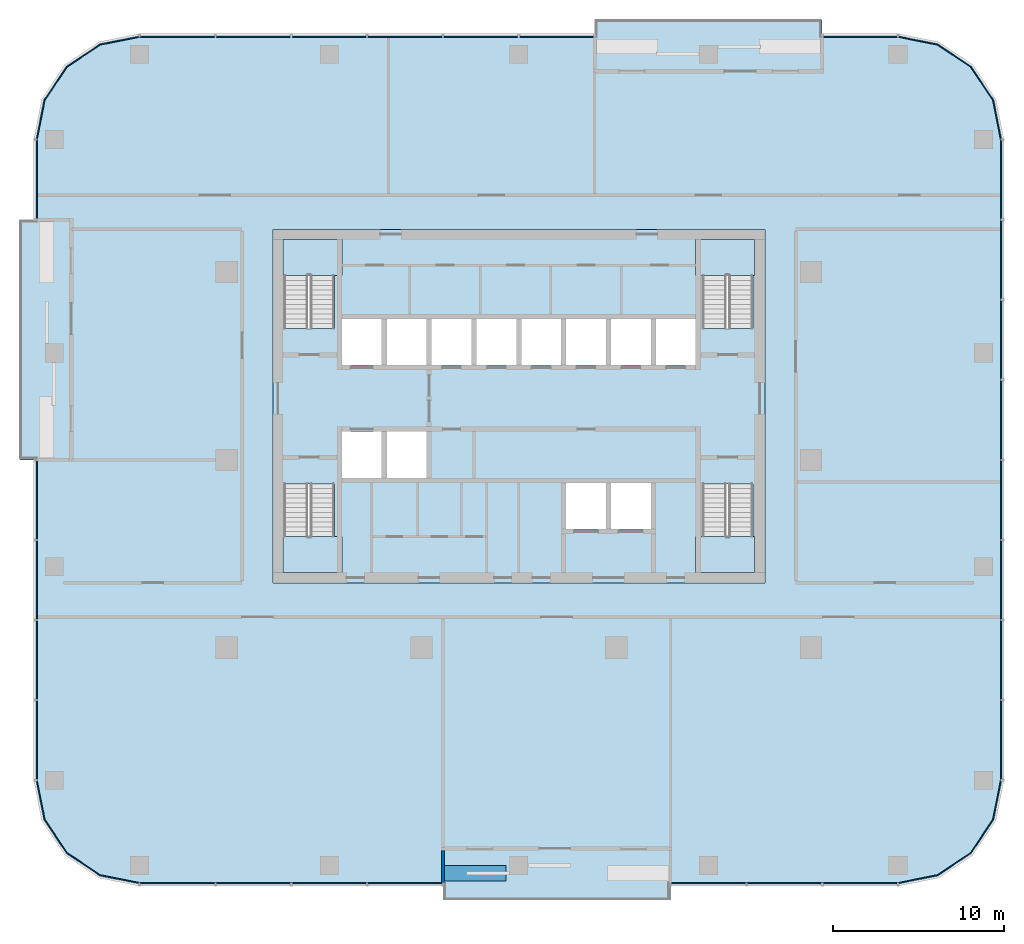
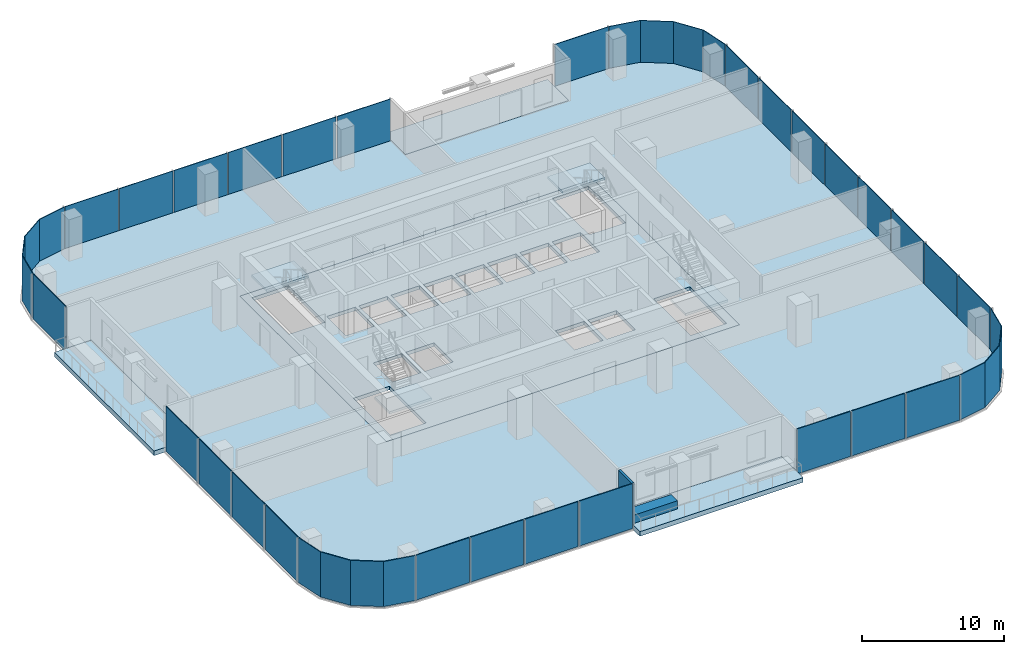
# One storey, part 6 of 14: 31 plates, 9 slabs, 2 walls, 15 elements without a shape of their own.
"""IFC4 building model written with IfcOpenShell, lengths in metres."""

from ifc_helpers import new_model, si_unit, direction, frame, frame_2d, origin, origin_2d, place, context, subcontext, project, spatial, polyline, rectangle, outline, extrude, material, layer, layer_set, type_object, element, aggregate, save


model = new_model("IFC4")

# Units and contexts
model_context = context("Model", 3, precision=1e-05, world=origin(), true_north=direction((0.0, 1.0)))
body_context = subcontext(model_context, "Body", "Model", "MODEL_VIEW")
ifc_project = project(units=[si_unit("LENGTHUNIT", "METRE"), si_unit("AREAUNIT", "SQUARE_METRE"), si_unit("VOLUMEUNIT", "CUBIC_METRE"), si_unit("PLANEANGLEUNIT", "RADIAN"), si_unit("MASSUNIT", "GRAM", prefix="KILO")], contexts=[model_context])

# Site, building, storey
site_placement = place(None, origin())
site = spatial("IfcSite", under=ifc_project, at=site_placement, CompositionType="ELEMENT")
building_placement = place(site_placement, origin())
building = spatial("IfcBuilding", under=site, at=building_placement, Name="Mopane Tessera Tower", CompositionType="ELEMENT")
storey_placement = place(building_placement, frame((0.0, 0.0, 243.0)))
storey = spatial("IfcBuildingStorey", under=building, at=storey_placement, Name="L52", CompositionType="ELEMENT", Elevation=243.0)

# Slab
ifc_material_1 = material(Name="Concrete C40/50", Category="concrete")
ifc_layer_1 = layer(ifc_material_1, 0.300048828125)
ifc_layer_set_1 = layer_set([ifc_layer_1], Name="Concrete C40/50")
slab_type_1 = type_object("IfcSlabType", Name="Core floor slab 300 mm", PredefinedType="FLOOR", material=ifc_layer_set_1)
slab_1_placement = place(storey_placement, frame((0.0, 0.0, -0.300048828125)))
element("IfcSlab", 1, at=slab_1_placement, inside=storey, type_object=slab_type_1, Name="L52 core floor slab", PredefinedType="FLOOR", context=body_context, shape_type="SweptSolid", body=[
    extrude(outline(polyline([(-14.39990234375, -7.199951171875), (14.39990234375, -7.199951171875), (14.39990234375, 13.5), (-14.39990234375, 13.5), (-14.39990234375, -7.199951171875)]), holes=[polyline([(-10.35009765625, -1.050048828125), (-8.02490234375, -1.050048828125), (-8.02490234375, 1.64990234375), (-10.35009765625, 1.64990234375), (-10.35009765625, -1.050048828125)]), polyline([(-7.72509765625, -1.050048828125), (-5.39990234375, -1.050048828125), (-5.39990234375, 1.64990234375), (-7.72509765625, 1.64990234375), (-7.72509765625, -1.050048828125)]), polyline([(-10.35009765625, 5.550048828125), (-8.02490234375, 5.550048828125), (-8.02490234375, 8.25), (-10.35009765625, 8.25), (-10.35009765625, 5.550048828125)]), polyline([(-7.72509765625, 5.550048828125), (-5.39990234375, 5.550048828125), (-5.39990234375, 8.25), (-7.72509765625, 8.25), (-7.72509765625, 5.550048828125)]), polyline([(-5.10009765625, 5.550048828125), (-2.77490234375, 5.550048828125), (-2.77490234375, 8.25), (-5.10009765625, 8.25), (-5.10009765625, 5.550048828125)]), polyline([(-2.47509765625, 5.550048828125), (-0.14990234375, 5.550048828125), (-0.14990234375, 8.25), (-2.47509765625, 8.25), (-2.47509765625, 5.550048828125)]), polyline([(0.14990234375, 5.550048828125), (2.47509765625, 5.550048828125), (2.47509765625, 8.25), (0.14990234375, 8.25), (0.14990234375, 5.550048828125)]), polyline([(2.77490234375, 5.550048828125), (5.10009765625, 5.550048828125), (5.10009765625, 8.25), (2.77490234375, 8.25), (2.77490234375, 5.550048828125)]), polyline([(5.39990234375, 5.550048828125), (7.72509765625, 5.550048828125), (7.72509765625, 8.25), (5.39990234375, 8.25), (5.39990234375, 5.550048828125)]), polyline([(8.02490234375, 5.550048828125), (10.35009765625, 5.550048828125), (10.35009765625, 8.25), (8.02490234375, 8.25), (8.02490234375, 5.550048828125)]), polyline([(2.77490234375, -4.050048828125), (5.10009765625, -4.050048828125), (5.10009765625, -1.35009765625), (2.77490234375, -1.35009765625), (2.77490234375, -4.050048828125)]), polyline([(5.39990234375, -4.050048828125), (7.72509765625, -4.050048828125), (7.72509765625, -1.35009765625), (5.39990234375, -1.35009765625), (5.39990234375, -4.050048828125)]), polyline([(-13.75, -1.405029296875), (-13.75, -6.60009765625), (-10.800048828125, -6.60009765625), (-10.800048828125, -1.405029296875), (-13.75, -1.405029296875)]), polyline([(-10.800048828125, 7.705078125), (-10.800048828125, 12.89990234375), (-13.75, 12.89990234375), (-13.75, 7.705078125), (-10.800048828125, 7.705078125)]), polyline([(10.75, -1.405029296875), (10.75, -6.60009765625), (13.699951171875, -6.60009765625), (13.699951171875, -1.405029296875), (10.75, -1.405029296875)]), polyline([(13.699951171875, 7.705078125), (13.699951171875, 12.89990234375), (10.75, 12.89990234375), (10.75, 7.705078125), (13.699951171875, 7.705078125)])]), origin(), (0.0, 0.0, 1.0), 0.300048828125),
])

# Stair, slab
ifc_material_2 = material(Name="Concrete C50/60", Category="concrete")
stair_type = type_object("IfcStairType", Name="Escape stair 1400 mm, riser 167 mm", PredefinedType="HALF_TURN_STAIR", material=ifc_material_2)
stair_1_placement = place(storey_placement, origin())
stair_1 = element("IfcStair", 2, at=stair_1_placement, inside=storey, type_object=stair_type, Name="L52 Escape stair south-west", PredefinedType="HALF_TURN_STAIR")
ifc_material_3 = material(Name="Concrete C50/60", Category="concrete")
ifc_layer_2 = layer(ifc_material_3, 0.199951171875)
ifc_layer_set_2 = layer_set([ifc_layer_2], Name="Concrete C50/60")
slab_type_2 = type_object("IfcSlabType", Name="Escape stair landing 200 mm", PredefinedType="LANDING", material=ifc_layer_set_2)
slab_2_placement = place(storey_placement, frame((0.0, 0.0, 1.800048828125)))
slab_2 = element("IfcSlab", 3, at=slab_2_placement, type_object=slab_type_2, Name="ST1 landing 1", PredefinedType="LANDING", context=body_context, shape_type="SweptSolid", body=[
    extrude(outline(polyline([(-13.800048828125, -4.47998046875), (-13.800048828125, -6.60009765625), (-10.35009765625, -6.60009765625), (-10.35009765625, -4.47998046875), (-13.800048828125, -4.47998046875)])), origin(), (0.0, 0.0, 1.0), 0.199951171875),
])
aggregate(stair_1, [slab_2])

stair_2_placement = place(storey_placement, origin())
stair_2 = element("IfcStair", 4, at=stair_2_placement, inside=storey, type_object=stair_type, Name="L52 Escape stair north-west", PredefinedType="HALF_TURN_STAIR")
slab_3_placement = place(storey_placement, frame((0.0, 0.0, 1.800048828125)))
slab_3 = element("IfcSlab", 5, at=slab_3_placement, type_object=slab_type_2, Name="ST2 landing 1", PredefinedType="LANDING", context=body_context, shape_type="SweptSolid", body=[
    extrude(outline(polyline([(-10.35009765625, 10.780029296875), (-10.35009765625, 12.89990234375), (-13.800048828125, 12.89990234375), (-13.800048828125, 10.780029296875), (-10.35009765625, 10.780029296875)])), origin(), (0.0, 0.0, 1.0), 0.199951171875),
])
aggregate(stair_2, [slab_3])

stair_3_placement = place(storey_placement, origin())
stair_3 = element("IfcStair", 6, at=stair_3_placement, inside=storey, type_object=stair_type, Name="L52 Escape stair south-east", PredefinedType="HALF_TURN_STAIR")
slab_4_placement = place(storey_placement, frame((0.0, 0.0, 1.800048828125)))
slab_4 = element("IfcSlab", 7, at=slab_4_placement, type_object=slab_type_2, Name="ST3 landing 1", PredefinedType="LANDING", context=body_context, shape_type="SweptSolid", body=[
    extrude(outline(polyline([(10.35009765625, -4.47998046875), (10.35009765625, -6.60009765625), (13.800048828125, -6.60009765625), (13.800048828125, -4.47998046875), (10.35009765625, -4.47998046875)])), origin(), (0.0, 0.0, 1.0), 0.199951171875),
])
aggregate(stair_3, [slab_4])

stair_4_placement = place(storey_placement, origin())
stair_4 = element("IfcStair", 8, at=stair_4_placement, inside=storey, type_object=stair_type, Name="L52 Escape stair north-east", PredefinedType="HALF_TURN_STAIR")
slab_5_placement = place(storey_placement, frame((0.0, 0.0, 1.800048828125)))
slab_5 = element("IfcSlab", 9, at=slab_5_placement, type_object=slab_type_2, Name="ST4 landing 1", PredefinedType="LANDING", context=body_context, shape_type="SweptSolid", body=[
    extrude(outline(polyline([(13.800048828125, 10.780029296875), (13.800048828125, 12.89990234375), (10.35009765625, 12.89990234375), (10.35009765625, 10.780029296875), (13.800048828125, 10.780029296875)])), origin(), (0.0, 0.0, 1.0), 0.199951171875),
])
aggregate(stair_4, [slab_5])

# Slabs
ifc_material_4 = material(Name="Concrete C40/50", Category="concrete")
ifc_layer_3 = layer(ifc_material_4, 0.39990234375)
ifc_layer_set_3 = layer_set([ifc_layer_3], Name="Concrete C40/50")
slab_type_3 = type_object("IfcSlabType", Name="Planted terrace slab 400 mm", PredefinedType="FLOOR", material=ifc_layer_set_3)
slab_6_placement = place(storey_placement, frame((0.0, 0.0, -0.39990234375)))
element("IfcSlab", 10, at=slab_6_placement, inside=storey, type_object=slab_type_3, Name="Terrace slab N1 L52", PredefinedType="FLOOR", context=body_context, shape_type="SweptSolid", body=[
    extrude(outline(polyline([(8.8798828125, -25.75), (8.8798828125, -22.75), (-4.43994140625, -22.75), (-4.43994140625, -25.75), (8.8798828125, -25.75)])), origin(), (0.0, 0.0, 1.0), 0.39990234375),
])
slab_7_placement = place(storey_placement, frame((0.0, 0.0, -0.39990234375)))
element("IfcSlab", 11, at=slab_7_placement, inside=storey, type_object=slab_type_3, Name="Terrace slab N2 L52", PredefinedType="FLOOR", context=body_context, shape_type="SweptSolid", body=[
    extrude(outline(polyline([(4.43994140625, 25.75), (4.43994140625, 22.75), (17.760009765625, 22.75), (17.760009765625, 25.75), (4.43994140625, 25.75)])), origin(), (0.0, 0.0, 1.0), 0.39990234375),
])
slab_8_placement = place(storey_placement, frame((0.0, 0.0, -0.39990234375)))
element("IfcSlab", 12, at=slab_8_placement, inside=storey, type_object=slab_type_3, Name="Terrace slab N3 L52", PredefinedType="FLOOR", context=body_context, shape_type="SweptSolid", body=[
    extrude(outline(polyline([(-29.199951171875, 0.0), (-26.199951171875, 0.0), (-26.199951171875, 14.0625), (-29.199951171875, 14.0625), (-29.199951171875, 0.0)])), origin(), (0.0, 0.0, 1.0), 0.39990234375),
])
ifc_material_5 = material(Name="Concrete C40/50", Category="concrete")
ifc_layer_4 = layer(ifc_material_5, 0.39990234375)
ifc_layer_set_4 = layer_set([ifc_layer_4], Name="Concrete C40/50")
slab_type_4 = type_object("IfcSlabType", Name="Post-tensioned flat plate 400 mm", PredefinedType="FLOOR", material=ifc_layer_set_4)
slab_9_placement = place(storey_placement, frame((0.0, 0.0, -0.39990234375)))
element("IfcSlab", 13, at=slab_9_placement, inside=storey, type_object=slab_type_4, Name="Floor slab L52", PredefinedType="FLOOR", context=body_context, shape_type="SweptSolid", body=[
    extrude(outline(polyline([(-22.199951171875, -24.75), (-4.43994140625, -24.75), (-4.43994140625, -22.75), (8.8798828125, -22.75), (8.8798828125, -24.75), (22.199951171875, -24.75), (24.49609375, -24.293212890625), (26.442626953125, -22.99267578125), (27.7431640625, -21.046142578125), (28.199951171875, -18.75), (28.199951171875, 18.75), (27.7431640625, 21.046142578125), (26.442626953125, 22.99267578125), (24.49609375, 24.293212890625), (22.199951171875, 24.75), (17.760009765625, 24.75), (17.760009765625, 22.75), (4.43994140625, 22.75), (4.43994140625, 24.75), (-22.199951171875, 24.75), (-24.49609375, 24.293212890625), (-26.442626953125, 22.99267578125), (-27.7431640625, 21.046142578125), (-28.199951171875, 18.75), (-28.199951171875, 14.0625), (-26.199951171875, 14.0625), (-26.199951171875, 0.0), (-28.199951171875, 0.0), (-28.199951171875, -18.75), (-27.7431640625, -21.046142578125), (-26.442626953125, -22.99267578125), (-24.49609375, -24.293212890625), (-22.199951171875, -24.75)]), holes=[polyline([(14.39990234375, -7.199951171875), (-14.39990234375, -7.199951171875), (-14.39990234375, 13.5), (14.39990234375, 13.5), (14.39990234375, -7.199951171875)])]), origin(), (0.0, 0.0, 1.0), 0.39990234375),
])

# Curtain wall, plates
ifc_material_6 = material(Name="Aluminium frame", Category="aluminium")
curtain_wall_type = type_object("IfcCurtainWallType", Name="Unitised curtain wall", PredefinedType="NOTDEFINED", material=ifc_material_6)
curtain_wall_1_placement = place(storey_placement, origin())
curtain_wall_1 = element("IfcCurtainWall", 14, at=curtain_wall_1_placement, inside=storey, type_object=curtain_wall_type, Name="e:cw:L52:S:0", PredefinedType="NOTDEFINED")
ifc_material_7 = material(Name="Clear laminated glass", Category="glass")
ifc_layer_5 = layer(ifc_material_7, 0.06005859375)
ifc_layer_set_5 = layer_set([ifc_layer_5], Name="Clear laminated glass")
plate_type = type_object("IfcPlateType", Name="Unitised glazed unit", PredefinedType="CURTAIN_PANEL", material=ifc_layer_set_5)
plate_1_placement = place(storey_placement, frame((-19.97998046875, -24.780029296875, -0.280029296875), z_axis=(0.0, 0.0, 1.0), x_axis=(1.0, 0.0, 0.0)))
plate_1 = element("IfcPlate", 15, at=plate_1_placement, type_object=plate_type, Name="e:cw:L52:S:0:pn0", PredefinedType="CURTAIN_PANEL", context=body_context, shape_type="SweptSolid", body=[
    extrude(rectangle(XDim=4.340087890625, YDim=0.06005859375, at=origin_2d()), origin(), (0.0, 0.0, 1.0), 3.8798828125),
])
plate_2_placement = place(storey_placement, frame((-15.5400390625, -24.780029296875, -0.280029296875), z_axis=(0.0, 0.0, 1.0), x_axis=(1.0, 0.0, 0.0)))
plate_2 = element("IfcPlate", 16, at=plate_2_placement, type_object=plate_type, Name="e:cw:L52:S:0:pn1", PredefinedType="CURTAIN_PANEL", context=body_context, shape_type="SweptSolid", body=[
    extrude(rectangle(XDim=4.340087890625, YDim=0.06005859375, at=origin_2d()), origin(), (0.0, 0.0, 1.0), 3.8798828125),
])
plate_3_placement = place(storey_placement, frame((-11.10009765625, -24.780029296875, -0.280029296875), z_axis=(0.0, 0.0, 1.0), x_axis=(1.0, 0.0, 0.0)))
plate_3 = element("IfcPlate", 17, at=plate_3_placement, type_object=plate_type, Name="e:cw:L52:S:0:pn2", PredefinedType="CURTAIN_PANEL", context=body_context, shape_type="SweptSolid", body=[
    extrude(rectangle(XDim=4.340087890625, YDim=0.06005859375, at=origin_2d()), origin(), (0.0, 0.0, 1.0), 3.8798828125),
])
plate_4_placement = place(storey_placement, frame((-6.659912109375, -24.780029296875, -0.280029296875), z_axis=(0.0, 0.0, 1.0), x_axis=(1.0, 0.0, 0.0)))
plate_4 = element("IfcPlate", 18, at=plate_4_placement, type_object=plate_type, Name="e:cw:L52:S:0:pn3", PredefinedType="CURTAIN_PANEL", context=body_context, shape_type="SweptSolid", body=[
    extrude(rectangle(XDim=4.340087890625, YDim=0.06005859375, at=origin_2d()), origin(), (0.0, 0.0, 1.0), 3.8798828125),
])
aggregate(curtain_wall_1, [plate_1, plate_2, plate_3, plate_4])

curtain_wall_2_placement = place(storey_placement, origin())
curtain_wall_2 = element("IfcCurtainWall", 19, at=curtain_wall_2_placement, inside=storey, type_object=curtain_wall_type, Name="e:cw:L52:S:7", PredefinedType="NOTDEFINED")
plate_5_placement = place(storey_placement, frame((11.10009765625, -24.780029296875, -0.280029296875), z_axis=(0.0, 0.0, 1.0), x_axis=(1.0, 0.0, 0.0)))
plate_5 = element("IfcPlate", 20, at=plate_5_placement, type_object=plate_type, Name="e:cw:L52:S:7:pn7", PredefinedType="CURTAIN_PANEL", context=body_context, shape_type="SweptSolid", body=[
    extrude(rectangle(XDim=4.340087890625, YDim=0.06005859375, at=origin_2d()), origin(), (0.0, 0.0, 1.0), 3.8798828125),
])
plate_6_placement = place(storey_placement, frame((15.5400390625, -24.780029296875, -0.280029296875), z_axis=(0.0, 0.0, 1.0), x_axis=(1.0, 0.0, 0.0)))
plate_6 = element("IfcPlate", 21, at=plate_6_placement, type_object=plate_type, Name="e:cw:L52:S:7:pn8", PredefinedType="CURTAIN_PANEL", context=body_context, shape_type="SweptSolid", body=[
    extrude(rectangle(XDim=4.340087890625, YDim=0.06005859375, at=origin_2d()), origin(), (0.0, 0.0, 1.0), 3.8798828125),
])
plate_7_placement = place(storey_placement, frame((19.97998046875, -24.780029296875, -0.280029296875), z_axis=(0.0, 0.0, 1.0), x_axis=(1.0, 0.0, 0.0)))
plate_7 = element("IfcPlate", 22, at=plate_7_placement, type_object=plate_type, Name="e:cw:L52:S:7:pn9", PredefinedType="CURTAIN_PANEL", context=body_context, shape_type="SweptSolid", body=[
    extrude(rectangle(XDim=4.340087890625, YDim=0.06005859375, at=origin_2d()), origin(), (0.0, 0.0, 1.0), 3.8798828125),
])
aggregate(curtain_wall_2, [plate_5, plate_6, plate_7])

# Curtain wall, plate
curtain_wall_3_placement = place(storey_placement, origin())
curtain_wall_3 = element("IfcCurtainWall", 23, at=curtain_wall_3_placement, inside=storey, type_object=curtain_wall_type, Name="e:cw:L52:CS", PredefinedType="NOTDEFINED")
plate_8_placement = place(storey_placement, frame((0.0, 0.0, -0.280029296875)))
plate_8 = element("IfcPlate", 24, at=plate_8_placement, type_object=plate_type, Name="e:cw:L52:CS:pn", PredefinedType="CURTAIN_PANEL", context=body_context, shape_type="SweptSolid", body=[
    extrude(outline(polyline([(22.199951171875, -24.75), (24.49609375, -24.293212890625), (26.442626953125, -22.99267578125), (27.7431640625, -21.046142578125), (28.199951171875, -18.75), (28.260009765625, -18.75), (27.798828125, -21.069091796875), (26.485107421875, -23.03515625), (24.51904296875, -24.3486328125), (22.199951171875, -24.81005859375), (22.199951171875, -24.75)])), origin(), (0.0, 0.0, 1.0), 3.880126953125),
])
aggregate(curtain_wall_3, [plate_8])

# Curtain wall, plates
curtain_wall_4_placement = place(storey_placement, origin())
curtain_wall_4 = element("IfcCurtainWall", 25, at=curtain_wall_4_placement, inside=storey, type_object=curtain_wall_type, Name="e:cw:L52:E:0", PredefinedType="NOTDEFINED")
plate_9_placement = place(storey_placement, frame((28.22998046875, -16.40625, -0.280029296875), z_axis=(0.0, 0.0, 1.0), x_axis=(0.0, 1.0, 0.0)))
plate_9 = element("IfcPlate", 26, at=plate_9_placement, type_object=plate_type, Name="e:cw:L52:E:0:pn0", PredefinedType="CURTAIN_PANEL", context=body_context, shape_type="SweptSolid", body=[
    extrude(rectangle(XDim=4.58740234375, YDim=0.06005859375, at=origin_2d()), origin(), (0.0, 0.0, 1.0), 3.8798828125),
])
plate_10_placement = place(storey_placement, frame((28.22998046875, -11.71875, -0.280029296875), z_axis=(0.0, 0.0, 1.0), x_axis=(0.0, 1.0, 0.0)))
plate_10 = element("IfcPlate", 27, at=plate_10_placement, type_object=plate_type, Name="e:cw:L52:E:0:pn1", PredefinedType="CURTAIN_PANEL", context=body_context, shape_type="SweptSolid", body=[
    extrude(rectangle(XDim=4.58740234375, YDim=0.06005859375, at=origin_2d()), origin(), (0.0, 0.0, 1.0), 3.8798828125),
])
plate_11_placement = place(storey_placement, frame((28.22998046875, -7.03125, -0.280029296875), z_axis=(0.0, 0.0, 1.0), x_axis=(0.0, 1.0, 0.0)))
plate_11 = element("IfcPlate", 28, at=plate_11_placement, type_object=plate_type, Name="e:cw:L52:E:0:pn2", PredefinedType="CURTAIN_PANEL", context=body_context, shape_type="SweptSolid", body=[
    extrude(rectangle(XDim=4.58740234375, YDim=0.06005859375, at=origin_2d()), origin(), (0.0, 0.0, 1.0), 3.8798828125),
])
plate_12_placement = place(storey_placement, frame((28.22998046875, -2.34375, -0.280029296875), z_axis=(0.0, 0.0, 1.0), x_axis=(0.0, 1.0, 0.0)))
plate_12 = element("IfcPlate", 29, at=plate_12_placement, type_object=plate_type, Name="e:cw:L52:E:0:pn3", PredefinedType="CURTAIN_PANEL", context=body_context, shape_type="SweptSolid", body=[
    extrude(rectangle(XDim=4.58740234375, YDim=0.06005859375, at=origin_2d()), origin(), (0.0, 0.0, 1.0), 3.8798828125),
])
plate_13_placement = place(storey_placement, frame((28.22998046875, 2.34375, -0.280029296875), z_axis=(0.0, 0.0, 1.0), x_axis=(0.0, 1.0, 0.0)))
plate_13 = element("IfcPlate", 30, at=plate_13_placement, type_object=plate_type, Name="e:cw:L52:E:0:pn4", PredefinedType="CURTAIN_PANEL", context=body_context, shape_type="SweptSolid", body=[
    extrude(rectangle(XDim=4.58740234375, YDim=0.06005859375, at=origin_2d()), origin(), (0.0, 0.0, 1.0), 3.8798828125),
])
plate_14_placement = place(storey_placement, frame((28.22998046875, 7.03125, -0.280029296875), z_axis=(0.0, 0.0, 1.0), x_axis=(0.0, 1.0, 0.0)))
plate_14 = element("IfcPlate", 31, at=plate_14_placement, type_object=plate_type, Name="e:cw:L52:E:0:pn5", PredefinedType="CURTAIN_PANEL", context=body_context, shape_type="SweptSolid", body=[
    extrude(rectangle(XDim=4.58740234375, YDim=0.06005859375, at=origin_2d()), origin(), (0.0, 0.0, 1.0), 3.8798828125),
])
plate_15_placement = place(storey_placement, frame((28.22998046875, 11.71875, -0.280029296875), z_axis=(0.0, 0.0, 1.0), x_axis=(0.0, 1.0, 0.0)))
plate_15 = element("IfcPlate", 32, at=plate_15_placement, type_object=plate_type, Name="e:cw:L52:E:0:pn6", PredefinedType="CURTAIN_PANEL", context=body_context, shape_type="SweptSolid", body=[
    extrude(rectangle(XDim=4.58740234375, YDim=0.06005859375, at=origin_2d()), origin(), (0.0, 0.0, 1.0), 3.8798828125),
])
plate_16_placement = place(storey_placement, frame((28.22998046875, 16.40625, -0.280029296875), z_axis=(0.0, 0.0, 1.0), x_axis=(0.0, 1.0, 0.0)))
plate_16 = element("IfcPlate", 33, at=plate_16_placement, type_object=plate_type, Name="e:cw:L52:E:0:pn7", PredefinedType="CURTAIN_PANEL", context=body_context, shape_type="SweptSolid", body=[
    extrude(rectangle(XDim=4.58740234375, YDim=0.06005859375, at=origin_2d()), origin(), (0.0, 0.0, 1.0), 3.8798828125),
])
aggregate(curtain_wall_4, [plate_9, plate_10, plate_11, plate_12, plate_13, plate_14, plate_15, plate_16])

# Curtain wall, plate
curtain_wall_5_placement = place(storey_placement, origin())
curtain_wall_5 = element("IfcCurtainWall", 34, at=curtain_wall_5_placement, inside=storey, type_object=curtain_wall_type, Name="e:cw:L52:CE", PredefinedType="NOTDEFINED")
plate_17_placement = place(storey_placement, frame((0.0, 0.0, -0.280029296875)))
plate_17 = element("IfcPlate", 35, at=plate_17_placement, type_object=plate_type, Name="e:cw:L52:CE:pn", PredefinedType="CURTAIN_PANEL", context=body_context, shape_type="SweptSolid", body=[
    extrude(outline(polyline([(28.199951171875, 18.75), (27.7431640625, 21.046142578125), (26.442626953125, 22.99267578125), (24.49609375, 24.293212890625), (22.199951171875, 24.75), (22.199951171875, 24.81005859375), (24.51904296875, 24.3486328125), (26.485107421875, 23.03515625), (27.798828125, 21.069091796875), (28.260009765625, 18.75), (28.199951171875, 18.75)])), origin(), (0.0, 0.0, 1.0), 3.880126953125),
])
aggregate(curtain_wall_5, [plate_17])

curtain_wall_6_placement = place(storey_placement, origin())
curtain_wall_6 = element("IfcCurtainWall", 36, at=curtain_wall_6_placement, inside=storey, type_object=curtain_wall_type, Name="e:cw:L52:N:0", PredefinedType="NOTDEFINED")
plate_18_placement = place(storey_placement, frame((19.97998046875, 24.780029296875, -0.280029296875), z_axis=(0.0, 0.0, 1.0), x_axis=(-1.0, 0.0, 0.0)))
plate_18 = element("IfcPlate", 37, at=plate_18_placement, type_object=plate_type, Name="e:cw:L52:N:0:pn0", PredefinedType="CURTAIN_PANEL", context=body_context, shape_type="SweptSolid", body=[
    extrude(rectangle(XDim=4.340087890625, YDim=0.06005859375, at=origin_2d()), origin(), (0.0, 0.0, 1.0), 3.8798828125),
])
aggregate(curtain_wall_6, [plate_18])

# Curtain wall, plates
curtain_wall_7_placement = place(storey_placement, origin())
curtain_wall_7 = element("IfcCurtainWall", 38, at=curtain_wall_7_placement, inside=storey, type_object=curtain_wall_type, Name="e:cw:L52:N:4", PredefinedType="NOTDEFINED")
plate_19_placement = place(storey_placement, frame((2.219970703125, 24.780029296875, -0.280029296875), z_axis=(0.0, 0.0, 1.0), x_axis=(-1.0, 0.0, 0.0)))
plate_19 = element("IfcPlate", 39, at=plate_19_placement, type_object=plate_type, Name="e:cw:L52:N:4:pn4", PredefinedType="CURTAIN_PANEL", context=body_context, shape_type="SweptSolid", body=[
    extrude(rectangle(XDim=4.340087890625, YDim=0.06005859375, at=origin_2d()), origin(), (0.0, 0.0, 1.0), 3.8798828125),
])
plate_20_placement = place(storey_placement, frame((-2.219970703125, 24.780029296875, -0.280029296875), z_axis=(0.0, 0.0, 1.0), x_axis=(-1.0, 0.0, 0.0)))
plate_20 = element("IfcPlate", 40, at=plate_20_placement, type_object=plate_type, Name="e:cw:L52:N:4:pn5", PredefinedType="CURTAIN_PANEL", context=body_context, shape_type="SweptSolid", body=[
    extrude(rectangle(XDim=4.340087890625, YDim=0.06005859375, at=origin_2d()), origin(), (0.0, 0.0, 1.0), 3.8798828125),
])
plate_21_placement = place(storey_placement, frame((-6.659912109375, 24.780029296875, -0.280029296875), z_axis=(0.0, 0.0, 1.0), x_axis=(-1.0, 0.0, 0.0)))
plate_21 = element("IfcPlate", 41, at=plate_21_placement, type_object=plate_type, Name="e:cw:L52:N:4:pn6", PredefinedType="CURTAIN_PANEL", context=body_context, shape_type="SweptSolid", body=[
    extrude(rectangle(XDim=4.340087890625, YDim=0.06005859375, at=origin_2d()), origin(), (0.0, 0.0, 1.0), 3.8798828125),
])
plate_22_placement = place(storey_placement, frame((-11.10009765625, 24.780029296875, -0.280029296875), z_axis=(0.0, 0.0, 1.0), x_axis=(-1.0, 0.0, 0.0)))
plate_22 = element("IfcPlate", 42, at=plate_22_placement, type_object=plate_type, Name="e:cw:L52:N:4:pn7", PredefinedType="CURTAIN_PANEL", context=body_context, shape_type="SweptSolid", body=[
    extrude(rectangle(XDim=4.340087890625, YDim=0.06005859375, at=origin_2d()), origin(), (0.0, 0.0, 1.0), 3.8798828125),
])
plate_23_placement = place(storey_placement, frame((-15.5400390625, 24.780029296875, -0.280029296875), z_axis=(0.0, 0.0, 1.0), x_axis=(-1.0, 0.0, 0.0)))
plate_23 = element("IfcPlate", 43, at=plate_23_placement, type_object=plate_type, Name="e:cw:L52:N:4:pn8", PredefinedType="CURTAIN_PANEL", context=body_context, shape_type="SweptSolid", body=[
    extrude(rectangle(XDim=4.340087890625, YDim=0.06005859375, at=origin_2d()), origin(), (0.0, 0.0, 1.0), 3.8798828125),
])
plate_24_placement = place(storey_placement, frame((-19.97998046875, 24.780029296875, -0.280029296875), z_axis=(0.0, 0.0, 1.0), x_axis=(-1.0, 0.0, 0.0)))
plate_24 = element("IfcPlate", 44, at=plate_24_placement, type_object=plate_type, Name="e:cw:L52:N:4:pn9", PredefinedType="CURTAIN_PANEL", context=body_context, shape_type="SweptSolid", body=[
    extrude(rectangle(XDim=4.340087890625, YDim=0.06005859375, at=origin_2d()), origin(), (0.0, 0.0, 1.0), 3.8798828125),
])
aggregate(curtain_wall_7, [plate_19, plate_20, plate_21, plate_22, plate_23, plate_24])

# Curtain wall, plate
curtain_wall_8_placement = place(storey_placement, origin())
curtain_wall_8 = element("IfcCurtainWall", 45, at=curtain_wall_8_placement, inside=storey, type_object=curtain_wall_type, Name="e:cw:L52:CN", PredefinedType="NOTDEFINED")
plate_25_placement = place(storey_placement, frame((0.0, 0.0, -0.280029296875)))
plate_25 = element("IfcPlate", 46, at=plate_25_placement, type_object=plate_type, Name="e:cw:L52:CN:pn", PredefinedType="CURTAIN_PANEL", context=body_context, shape_type="SweptSolid", body=[
    extrude(outline(polyline([(-22.199951171875, 24.75), (-24.49609375, 24.293212890625), (-26.442626953125, 22.99267578125), (-27.7431640625, 21.046142578125), (-28.199951171875, 18.75), (-28.260009765625, 18.75), (-27.798828125, 21.069091796875), (-26.485107421875, 23.03515625), (-24.51904296875, 24.3486328125), (-22.199951171875, 24.81005859375), (-22.199951171875, 24.75)])), origin(), (0.0, 0.0, 1.0), 3.880126953125),
])
aggregate(curtain_wall_8, [plate_25])

curtain_wall_9_placement = place(storey_placement, origin())
curtain_wall_9 = element("IfcCurtainWall", 47, at=curtain_wall_9_placement, inside=storey, type_object=curtain_wall_type, Name="e:cw:L52:W:0", PredefinedType="NOTDEFINED")
plate_26_placement = place(storey_placement, frame((-28.22998046875, 16.40625, -0.280029296875), z_axis=(0.0, 0.0, 1.0), x_axis=(0.0, -1.0, 0.0)))
plate_26 = element("IfcPlate", 48, at=plate_26_placement, type_object=plate_type, Name="e:cw:L52:W:0:pn0", PredefinedType="CURTAIN_PANEL", context=body_context, shape_type="SweptSolid", body=[
    extrude(rectangle(XDim=4.58740234375, YDim=0.06005859375, at=origin_2d()), origin(), (0.0, 0.0, 1.0), 3.8798828125),
])
aggregate(curtain_wall_9, [plate_26])

# Curtain wall, plates
curtain_wall_10_placement = place(storey_placement, origin())
curtain_wall_10 = element("IfcCurtainWall", 49, at=curtain_wall_10_placement, inside=storey, type_object=curtain_wall_type, Name="e:cw:L52:W:4", PredefinedType="NOTDEFINED")
plate_27_placement = place(storey_placement, frame((-28.22998046875, -2.34375, -0.280029296875), z_axis=(0.0, 0.0, 1.0), x_axis=(0.0, -1.0, 0.0)))
plate_27 = element("IfcPlate", 50, at=plate_27_placement, type_object=plate_type, Name="e:cw:L52:W:4:pn4", PredefinedType="CURTAIN_PANEL", context=body_context, shape_type="SweptSolid", body=[
    extrude(rectangle(XDim=4.58740234375, YDim=0.06005859375, at=origin_2d()), origin(), (0.0, 0.0, 1.0), 3.8798828125),
])
plate_28_placement = place(storey_placement, frame((-28.22998046875, -7.03125, -0.280029296875), z_axis=(0.0, 0.0, 1.0), x_axis=(0.0, -1.0, 0.0)))
plate_28 = element("IfcPlate", 51, at=plate_28_placement, type_object=plate_type, Name="e:cw:L52:W:4:pn5", PredefinedType="CURTAIN_PANEL", context=body_context, shape_type="SweptSolid", body=[
    extrude(rectangle(XDim=4.58740234375, YDim=0.06005859375, at=origin_2d()), origin(), (0.0, 0.0, 1.0), 3.8798828125),
])
plate_29_placement = place(storey_placement, frame((-28.22998046875, -11.71875, -0.280029296875), z_axis=(0.0, 0.0, 1.0), x_axis=(0.0, -1.0, 0.0)))
plate_29 = element("IfcPlate", 52, at=plate_29_placement, type_object=plate_type, Name="e:cw:L52:W:4:pn6", PredefinedType="CURTAIN_PANEL", context=body_context, shape_type="SweptSolid", body=[
    extrude(rectangle(XDim=4.58740234375, YDim=0.06005859375, at=origin_2d()), origin(), (0.0, 0.0, 1.0), 3.8798828125),
])
plate_30_placement = place(storey_placement, frame((-28.22998046875, -16.40625, -0.280029296875), z_axis=(0.0, 0.0, 1.0), x_axis=(0.0, -1.0, 0.0)))
plate_30 = element("IfcPlate", 53, at=plate_30_placement, type_object=plate_type, Name="e:cw:L52:W:4:pn7", PredefinedType="CURTAIN_PANEL", context=body_context, shape_type="SweptSolid", body=[
    extrude(rectangle(XDim=4.58740234375, YDim=0.06005859375, at=origin_2d()), origin(), (0.0, 0.0, 1.0), 3.8798828125),
])
aggregate(curtain_wall_10, [plate_27, plate_28, plate_29, plate_30])

# Curtain wall, plate
curtain_wall_11_placement = place(storey_placement, origin())
curtain_wall_11 = element("IfcCurtainWall", 54, at=curtain_wall_11_placement, inside=storey, type_object=curtain_wall_type, Name="e:cw:L52:CW", PredefinedType="NOTDEFINED")
plate_31_placement = place(storey_placement, frame((0.0, 0.0, -0.280029296875)))
plate_31 = element("IfcPlate", 55, at=plate_31_placement, type_object=plate_type, Name="e:cw:L52:CW:pn", PredefinedType="CURTAIN_PANEL", context=body_context, shape_type="SweptSolid", body=[
    extrude(outline(polyline([(-28.199951171875, -18.75), (-27.7431640625, -21.046142578125), (-26.442626953125, -22.99267578125), (-24.49609375, -24.293212890625), (-22.199951171875, -24.75), (-22.199951171875, -24.81005859375), (-24.51904296875, -24.3486328125), (-26.485107421875, -23.03515625), (-27.798828125, -21.069091796875), (-28.260009765625, -18.75), (-28.199951171875, -18.75)])), origin(), (0.0, 0.0, 1.0), 3.880126953125),
])
aggregate(curtain_wall_11, [plate_31])

# Walls
ifc_material_8 = material(Name="Reinforced concrete C32/40 with waterproofing", Category="concrete")
ifc_layer_6 = layer(ifc_material_8, 0.89990234375)
ifc_layer_set_6 = layer_set([ifc_layer_6], Name="Reinforced concrete C32/40 with waterproofing")
wall_type_1 = type_object("IfcWallType", Name="Planter trough 3600 x 900", PredefinedType="STANDARD", material=ifc_layer_set_6)
wall_1_placement = place(storey_placement, frame((-4.340087890625, -24.199951171875, 0.0), z_axis=(0.0, 0.0, 1.0), x_axis=(1.0, 0.0, 0.0)))
element("IfcWall", 56, at=wall_1_placement, inside=storey, type_object=wall_type_1, Name="e:nw:L52:N1:pl0", PredefinedType="STANDARD", context=body_context, shape_type="SweptSolid", body=[
    extrude(rectangle(XDim=3.60009765625, YDim=0.89990234375, at=frame_2d((1.800048828125, 0.0))), origin(), (0.0, 0.0, 1.0), 0.699951171875),
])
ifc_material_9 = material(Name="Blockwork with glazed tile facing", Category="masonry")
ifc_layer_7 = layer(ifc_material_9, 0.199951171875)
ifc_layer_set_7 = layer_set([ifc_layer_7], Name="Blockwork with glazed tile facing")
wall_type_2 = type_object("IfcWallType", Name="Terrace cheek wall 200", PredefinedType="STANDARD", material=ifc_layer_set_7)
wall_2_placement = place(storey_placement, frame((-4.43994140625, -24.75, 0.0), z_axis=(0.0, 0.0, 1.0), x_axis=(0.0, 1.0, 0.0)))
element("IfcWall", 57, at=wall_2_placement, inside=storey, type_object=wall_type_2, Name="e:nw:L52:N1:cheeka", PredefinedType="STANDARD", context=body_context, shape_type="SweptSolid", body=[
    extrude(rectangle(XDim=1.875, YDim=0.199951171875, at=frame_2d((0.9375, 0.0))), origin(), (0.0, 0.0, 1.0), 3.60009765625),
])

save(model, "model.ifc")
